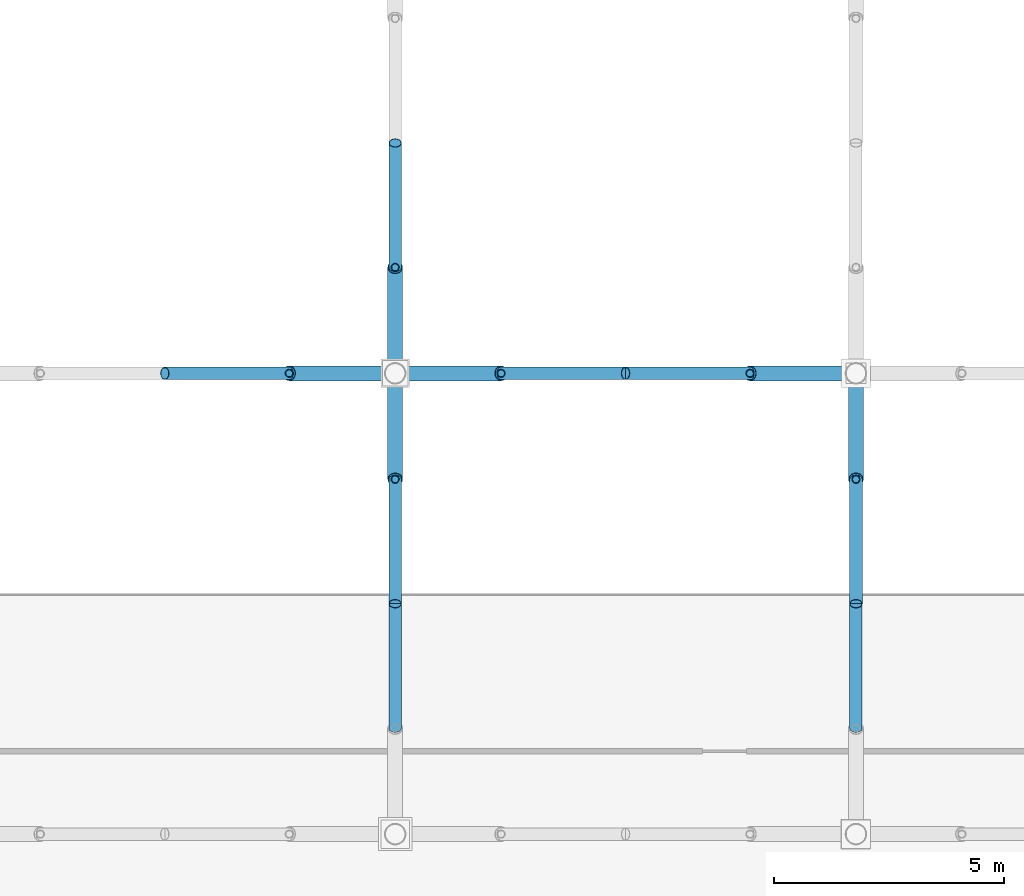
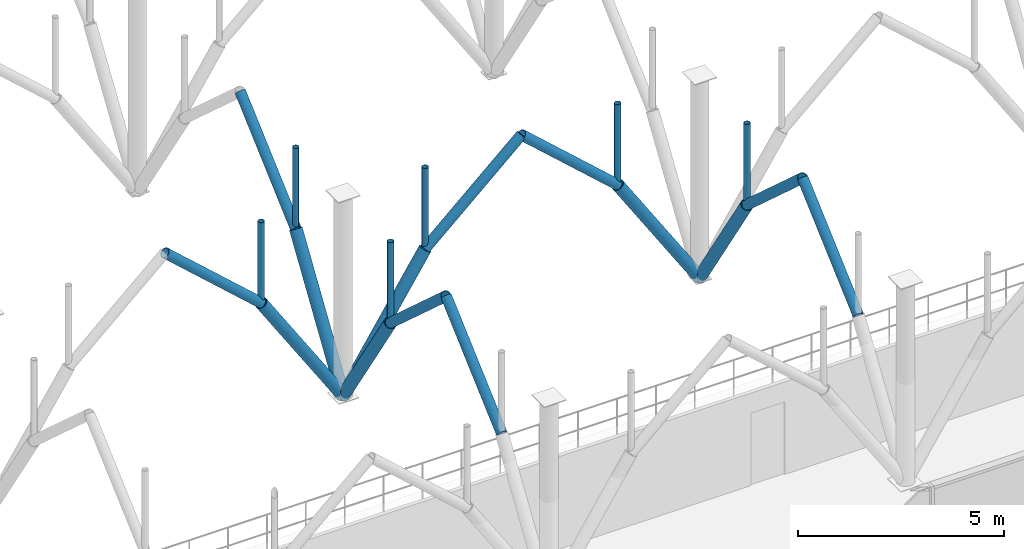
# One storey, part 41 of 109: 20 members.
"""IFC4 building model written with IfcOpenShell, lengths in metres."""

import ifcopenshell
import ifcopenshell.guid

model = None  # the IFC model being written
_history = None  # IfcOwnerHistory: only IFC2X3 demands one
_inside = {}  # id of a spatial element -> (the spatial element, [elements in it])
_under = {}  # id of a project, library or spatial element -> (it, [spatial elements below it])
_declared = {}  # id of a project -> (the project, [libraries it declares])
_typed = {}  # id of a type object -> (the type object, [elements of that type])
_made_of = {}  # id of a material, layer set ... -> (it, [elements and type objects made of it])


def new_model(schema):
    """Start an empty IFC model of exactly this schema.

    Asked for "IFC4X3", IfcOpenShell would pick the latest addendum, in which some entities
    have other attributes; the version numbers below select the first issue.
    IFC2X3 requires an IfcOwnerHistory on every rooted entity: one is made here for all.
    """
    global model, _history
    if schema == "IFC4X3":
        model = ifcopenshell.file(schema_version=(4, 3, 0, 0))
    else:
        model = ifcopenshell.file(schema=schema)
    _inside.clear()
    _under.clear()
    _declared.clear()
    _typed.clear()
    _made_of.clear()
    _history = None
    if model.schema == "IFC2X3":
        org = make("IfcOrganization", Name="unknown")
        user = make(
            "IfcPersonAndOrganization",
            ThePerson=make("IfcPerson", FamilyName="unknown"),
            TheOrganization=org,
        )
        app = make(
            "IfcApplication",
            ApplicationDeveloper=org,
            Version="unknown",
            ApplicationFullName="unknown",
            ApplicationIdentifier="unknown",
        )
        _history = make(
            "IfcOwnerHistory",
            OwningUser=user,
            OwningApplication=app,
            ChangeAction="ADDED",
            CreationDate=0,
        )
    return model


def make(cls, **values):
    """One entity of the class cls with the attributes given. An attribute that is None is left unset."""
    return model.create_entity(
        cls, **{name: value for name, value in values.items() if value is not None}
    )


def rooted(cls, **values):
    """An entity with a GlobalId (a new one), such as an element, a storey or a relation."""
    return make(cls, GlobalId=ifcopenshell.guid.new(), OwnerHistory=_history, **values)


def si_unit(unit_type, name, prefix=None):
    """IfcSIUnit, for example si_unit("LENGTHUNIT", "METRE", prefix="MILLI")."""
    return make("IfcSIUnit", UnitType=unit_type, Prefix=prefix, Name=name)


def derived_unit(unit_type, elements):
    """IfcDerivedUnit: a product of units, each with its exponent."""
    return make(
        "IfcDerivedUnit",
        Elements=[
            make("IfcDerivedUnitElement", Unit=unit, Exponent=power)
            for unit, power in elements
        ],
        UnitType=unit_type,
    )


def assignment(units):
    """IfcUnitAssignment: the units of a project."""
    return None if units is None else make("IfcUnitAssignment", Units=units)


def point(xyz):
    """IfcCartesianPoint."""
    return None if xyz is None else make("IfcCartesianPoint", Coordinates=xyz)


def direction(xyz):
    """IfcDirection."""
    return None if xyz is None else make("IfcDirection", DirectionRatios=xyz)


def frame(location, z_axis=None, x_axis=None):
    """IfcAxis2Placement3D, a coordinate frame: its origin and axes. An axis left out is left unset."""
    return make(
        "IfcAxis2Placement3D",
        Location=point(location),
        Axis=direction(z_axis),
        RefDirection=direction(x_axis),
    )


def frame_2d(location, x_axis=None):
    """IfcAxis2Placement2D, a coordinate frame in the plane: its origin and x axis."""
    return make(
        "IfcAxis2Placement2D", Location=point(location), RefDirection=direction(x_axis)
    )


def origin():
    """The frame at (0, 0, 0) with its axes left unset."""
    return frame((0.0, 0.0, 0.0))


def origin_2d_with_axis():
    """The frame at (0, 0) in the plane with the x axis (1, 0) written out."""
    return frame_2d((0.0, 0.0), x_axis=(1.0, 0.0))


def place(relative_to, where):
    """IfcLocalPlacement: puts the frame where relative to a parent placement (None: the world)."""
    return make(
        "IfcLocalPlacement", PlacementRelTo=relative_to, RelativePlacement=where
    )


def context(
    kind, dimensions, precision=None, world=None, true_north=None, identifier=None
):
    """IfcGeometricRepresentationContext, for example the 3D "Model" context."""
    return make(
        "IfcGeometricRepresentationContext",
        ContextIdentifier=identifier,
        ContextType=kind,
        CoordinateSpaceDimension=dimensions,
        Precision=precision,
        WorldCoordinateSystem=world,
        TrueNorth=true_north,
    )


def subcontext(parent, identifier, kind, view, scale=None):
    """IfcGeometricRepresentationSubContext, for example "Body" below "Model"."""
    return make(
        "IfcGeometricRepresentationSubContext",
        ContextIdentifier=identifier,
        ContextType=kind,
        ParentContext=parent,
        TargetScale=scale,
        TargetView=view,
    )


def project(units=None, contexts=None):
    """IfcProject with its units and contexts."""
    return rooted(
        "IfcProject",
        Name="project",
        RepresentationContexts=contexts,
        UnitsInContext=assignment(units),
    )


def spatial(cls, under=None, at=None, **own):
    """A site, building, storey or space (cls), placed at a placement, below another one or the project."""
    s = rooted(cls, ObjectPlacement=at, **own)
    if under is not None:
        _under.setdefault(under.id(), (under, []))[1].append(s)
    return s


def profile(cls, at=None, kind="AREA", **sizes):
    """A parametric profile (cls). Its sizes go by their IFC names, for example OverallWidth=200.0."""
    return make(cls, ProfileType=kind, Position=at, **sizes)


def hollow_circle(**sizes):
    """IfcCircleHollowProfileDef."""
    return profile("IfcCircleHollowProfileDef", **sizes)


def extrude(swept, where, along, depth):
    """IfcExtrudedAreaSolid: the profile swept, set in the frame where, extruded along a direction by depth."""
    return make(
        "IfcExtrudedAreaSolid",
        SweptArea=swept,
        Position=where,
        ExtrudedDirection=direction(along),
        Depth=depth,
    )


def shape(context_of_items, identifier, shape_type, items):
    """IfcShapeRepresentation: the items that make up one representation, for example the "Body"."""
    return make(
        "IfcShapeRepresentation",
        ContextOfItems=context_of_items,
        RepresentationIdentifier=identifier,
        RepresentationType=shape_type,
        Items=items,
    )


def material(Name=None, Category=None):
    """IfcMaterial."""
    return make("IfcMaterial", Name=Name, Category=Category)


def material_profile(
    of_material, cross_section, Name=None, Category=None, Priority=None
):
    """IfcMaterialProfile: a cross section and its material."""
    return make(
        "IfcMaterialProfile",
        Name=Name,
        Material=of_material,
        Profile=cross_section,
        Priority=Priority,
        Category=Category,
    )


def profile_set(profiles, Name=None, composite=None):
    """IfcMaterialProfileSet."""
    return make(
        "IfcMaterialProfileSet",
        Name=Name,
        MaterialProfiles=profiles,
        CompositeProfile=composite,
    )


def made_of(thing, what):
    """Note that an element or type object is made of a material, layer set ...; save() writes the relation."""
    if what is not None:
        _made_of.setdefault(what.id(), (what, []))[1].append(thing)
    return thing


def type_object(cls, material=None, **own):
    """A type object (cls), such as IfcWallType, which elements share."""
    return made_of(rooted(cls, **own), material)


def element(
    cls,
    number,
    at=None,
    inside=None,
    cuts=None,
    type_object=None,
    material=None,
    context=None,
    identifier="Body",
    shape_type=None,
    held_by="IfcProductDefinitionShape",
    body=None,
    shapes=None,
    **own,
):
    """One element of the class cls, such as IfcWall. Its Tag is "e" and its number.

    at: its placement. inside: the storey or other place that contains it. cuts: it is an
    opening in that element (IfcRelVoidsElement). A single representation is given by context,
    identifier, shape_type and body (its items); several are given by shapes. held_by: the class
    of the entity that holds the representations. save() writes the other relations.
    """
    e = rooted(cls, Tag="e%d" % number, ObjectPlacement=at, **own)
    if body is not None:
        shapes = [shape(context, identifier, shape_type, body)]
    if shapes is not None:
        e.Representation = make(held_by, Representations=shapes)
    if inside is not None:
        _inside.setdefault(inside.id(), (inside, []))[1].append(e)
    if cuts is not None:
        rooted(
            "IfcRelVoidsElement", RelatingBuildingElement=cuts, RelatedOpeningElement=e
        )
    if type_object is not None:
        _typed.setdefault(type_object.id(), (type_object, []))[1].append(e)
    return made_of(e, material)


def aggregate(whole, parts):
    """IfcRelAggregates: a whole, such as a stair, and the parts it consists of."""
    return rooted("IfcRelAggregates", RelatingObject=whole, RelatedObjects=parts)


def save(model, path):
    """Write the relations noted so far, then the file.

    IfcRelAggregates (storeys below a building ...), IfcRelContainedInSpatialStructure (elements
    in a storey), IfcRelDefinesByType, IfcRelAssociatesMaterial and IfcRelDeclares: one each for
    every whole, place, type object, material and project.
    """
    for whole, parts in _under.values():
        aggregate(whole, parts)
    for where, things in _inside.values():
        rooted(
            "IfcRelContainedInSpatialStructure",
            RelatedElements=things,
            RelatingStructure=where,
        )
    for kind, things in _typed.values():
        rooted("IfcRelDefinesByType", RelatedObjects=things, RelatingType=kind)
    for what, things in _made_of.values():
        rooted("IfcRelAssociatesMaterial", RelatedObjects=things, RelatingMaterial=what)
    for by, libraries in _declared.values():
        rooted("IfcRelDeclares", RelatingContext=by, RelatedDefinitions=libraries)
    model.write(path)


model = new_model("IFC4")

# Units and contexts
model_context = context("Model", 3, precision=1e-05, world=origin(), true_north=direction((0.0, 1.0)))
body_context = subcontext(model_context, "Body", "Model", "MODEL_VIEW")
ifc_project = project(units=[si_unit("LENGTHUNIT", "METRE"), si_unit("AREAUNIT", "SQUARE_METRE"), si_unit("VOLUMEUNIT", "CUBIC_METRE"), si_unit("PLANEANGLEUNIT", "RADIAN"), si_unit("MASSUNIT", "GRAM", prefix="KILO"), derived_unit("THERMALTRANSMITTANCEUNIT", [(si_unit("POWERUNIT", "WATT"), 1), (si_unit("LENGTHUNIT", "METRE"), -2), (si_unit("THERMODYNAMICTEMPERATUREUNIT", "KELVIN"), -1)])], contexts=[model_context])

# Site, building, storey
site_placement = place(None, origin())
site = spatial("IfcSite", under=ifc_project, at=site_placement, CompositionType="ELEMENT")
building_placement = place(site_placement, origin())
building = spatial("IfcBuilding", under=site, at=building_placement, Name="Cinnabar Yard Market Hall", CompositionType="ELEMENT")
storey_placement = place(building_placement, frame((0.0, 0.0, 8.39990234375)))
storey = spatial("IfcBuildingStorey", under=building, at=storey_placement, Name="L02", CompositionType="ELEMENT", Elevation=8.39990234375)

# Members
ifc_material_1 = material(Name="Spotted-gum glulam-clad steel Grade 350 (350 MPa)", Category="steel")
ifc_material_profile_1 = material_profile(ifc_material_1, hollow_circle(Radius=0.136474609375, WallThickness=0.00927734375, at=origin_2d_with_axis()), Name="273.1x9.3CHS")
ifc_profile_set_1 = profile_set([ifc_material_profile_1], Name="Spotted-gum glulam-clad steel Grade 350 (350 MPa)")
member_type_1 = type_object("IfcMemberType", Name="MB-AR01", PredefinedType="USERDEFINED", material=ifc_profile_set_1)
for number, where, z_axis, x_axis, name in (
    (1, (116.0, 26.300048828125, 3.550048828125), (0.0, 0.743297488271, 0.668961018244), (-1.0, 0.0, 0.0), "Pointed Arch Rib 0066"),
    (2, (118.300048828125, 34.0, 3.550048828125), (0.743297488271, 0.0, 0.668961018244), (0.0, 1.0, 0.0), "Pointed Arch Rib 0067"),
    (3, (113.699951171875, 34.0, 3.550048828125), (-0.743297488271, 0.0, 0.668961018244), (0.0, -1.0, 0.0), "Pointed Arch Rib 0068"),
    (4, (116.0, 36.300048828125, 3.550048828125), (0.0, 0.743297488271, 0.668961018244), (-1.0, 0.0, 0.0), "Pointed Arch Rib 0069"),
    (5, (116.0, 31.699951171875, 3.550048828125), (0.0, -0.743297488271, 0.668961018244), (1.0, 0.0, 0.0), "Pointed Arch Rib 0070"),
    (6, (126.0, 26.300048828125, 3.550048828125), (0.0, 0.743297488271, 0.668961018244), (-1.0, 0.0, 0.0), "Pointed Arch Rib 0084"),
    (7, (123.699951171875, 34.0, 3.550048828125), (-0.743297488271, 0.0, 0.668961018244), (0.0, -1.0, 0.0), "Pointed Arch Rib 0086"),
    (8, (126.0, 31.699951171875, 3.550048828125), (0.0, -0.743297488271, 0.668961018244), (1.0, 0.0, 0.0), "Pointed Arch Rib 0088"),
):
    element("IfcMember", number, at=place(storey_placement, frame(where, z_axis=z_axis, x_axis=x_axis)), inside=storey, type_object=member_type_1, Name=name, ObjectType="ARCH RIB", PredefinedType="USERDEFINED", context=body_context, shape_type="SweptSolid", body=[
        extrude(hollow_circle(Radius=0.136474609375, WallThickness=0.00927734375, at=origin_2d_with_axis()), origin(), (0.0, 0.0, 1.0), 3.63232421875),
    ])
ifc_material_profile_2 = material_profile(ifc_material_1, hollow_circle(Radius=0.161865234375, WallThickness=0.009521484375, at=origin_2d_with_axis()), Name="323.9x9.5CHS")
ifc_profile_set_2 = profile_set([ifc_material_profile_2], Name="Spotted-gum glulam-clad steel Grade 350 (350 MPa)")
member_type_2 = type_object("IfcMemberType", Name="MB-ST01", PredefinedType="STRUT", material=ifc_profile_set_2)
for number, where, z_axis, x_axis, name in (
    (9, (116.0, 34.0, 0.0), (0.543744165176, 0.0, 0.839251024925), (0.0, 1.0, 0.0), "Curved Branch Arm Lower 0067"),
    (10, (116.0, 34.0, 0.0), (-0.543744165176, 0.0, 0.839251024925), (0.0, -1.0, 0.0), "Curved Branch Arm Lower 0068"),
    (11, (116.0, 34.0, 0.0), (0.0, 0.543744165176, 0.839251024925), (-1.0, 0.0, 0.0), "Curved Branch Arm Lower 0069"),
    (12, (116.0, 34.0, 0.0), (0.0, -0.543744165176, 0.839251024925), (1.0, 0.0, 0.0), "Curved Branch Arm Lower 0070"),
    (13, (126.0, 34.0, 0.0), (-0.543744165176, 0.0, 0.839251024925), (0.0, -1.0, 0.0), "Curved Branch Arm Lower 0086"),
    (14, (126.0, 34.0, 0.0), (0.0, -0.543744165176, 0.839251024925), (1.0, 0.0, 0.0), "Curved Branch Arm Lower 0088"),
):
    element("IfcMember", number, at=place(storey_placement, frame(where, z_axis=z_axis, x_axis=x_axis)), inside=storey, type_object=member_type_2, Name=name, PredefinedType="STRUT", context=body_context, shape_type="SweptSolid", body=[
        extrude(hollow_circle(Radius=0.161865234375, WallThickness=0.009521484375, at=origin_2d_with_axis()), origin(), (0.0, 0.0, 1.0), 4.22998046875),
    ])
ifc_material_2 = material(Name="Cold-formed steel C350L0", Category="steel")
ifc_material_profile_3 = material_profile(ifc_material_2, hollow_circle(Radius=0.084228515625, WallThickness=0.00634765625, at=origin_2d_with_axis()), Name="168.3x6.4CHS")
ifc_profile_set_3 = profile_set([ifc_material_profile_3], Name="Cold-formed steel C350L0")
member_type_3 = type_object("IfcMemberType", Name="MB-WB01", PredefinedType="STRUT", material=ifc_profile_set_3)
for number, where, z_axis, x_axis, name in (
    (15, (118.300048828125, 34.0, 3.550048828125), (0.0, 0.0, 1.0), (1.0, 0.0, 0.0), "Arch Spandrel Post 0067"),
    (16, (113.699951171875, 34.0, 3.550048828125), (0.0, 0.0, 1.0), (1.0, 0.0, 0.0), "Arch Spandrel Post 0068"),
    (17, (116.0, 36.300048828125, 3.550048828125), (0.0, 0.0, 1.0), (1.0, 0.0, 0.0), "Arch Spandrel Post 0069"),
    (18, (116.0, 31.699951171875, 3.550048828125), (0.0, 0.0, 1.0), (1.0, 0.0, 0.0), "Arch Spandrel Post 0070"),
    (19, (123.699951171875, 34.0, 3.550048828125), (0.0, 0.0, 1.0), (1.0, 0.0, 0.0), "Arch Spandrel Post 0086"),
    (20, (126.0, 31.699951171875, 3.550048828125), (0.0, 0.0, 1.0), (1.0, 0.0, 0.0), "Arch Spandrel Post 0088"),
):
    element("IfcMember", number, at=place(storey_placement, frame(where, z_axis=z_axis, x_axis=x_axis)), inside=storey, type_object=member_type_3, Name=name, PredefinedType="STRUT", context=body_context, shape_type="SweptSolid", body=[
        extrude(hollow_circle(Radius=0.084228515625, WallThickness=0.00634765625, at=origin_2d_with_axis()), origin(), (0.0, 0.0, 1.0), 2.429931640625),
    ])

save(model, "model.ifc")
